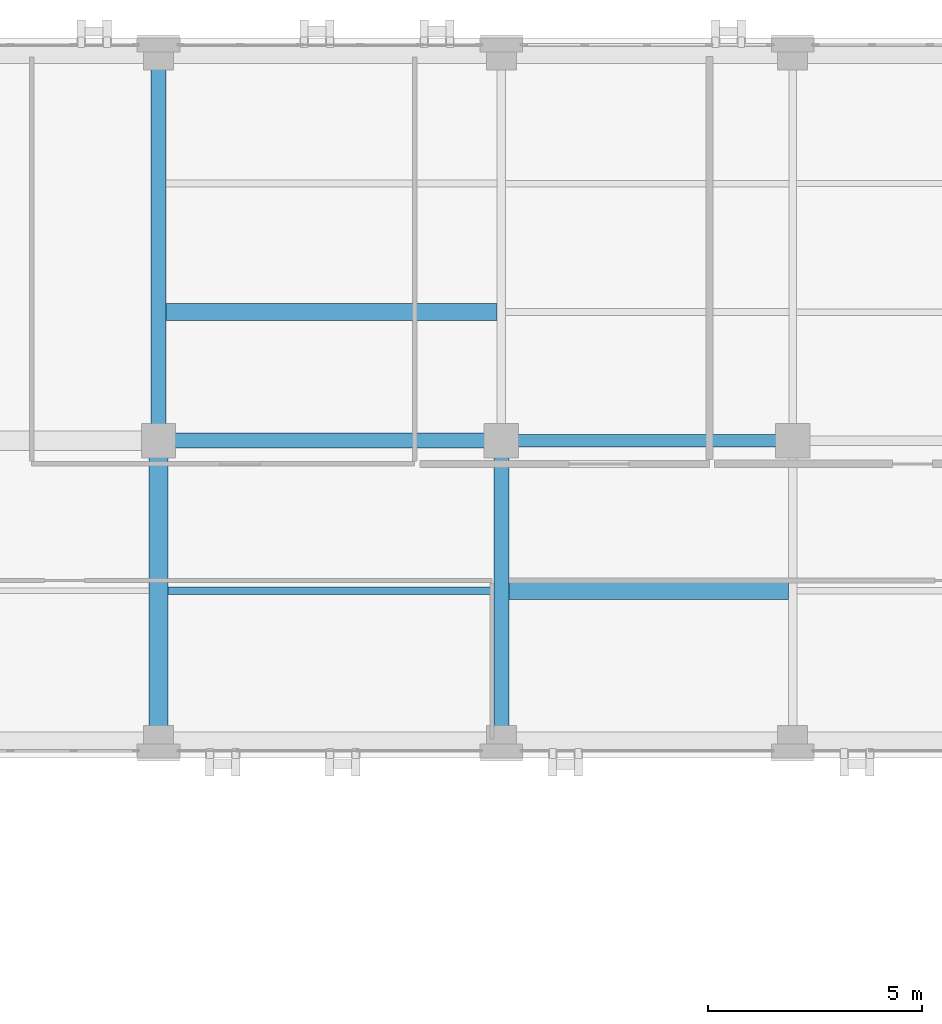
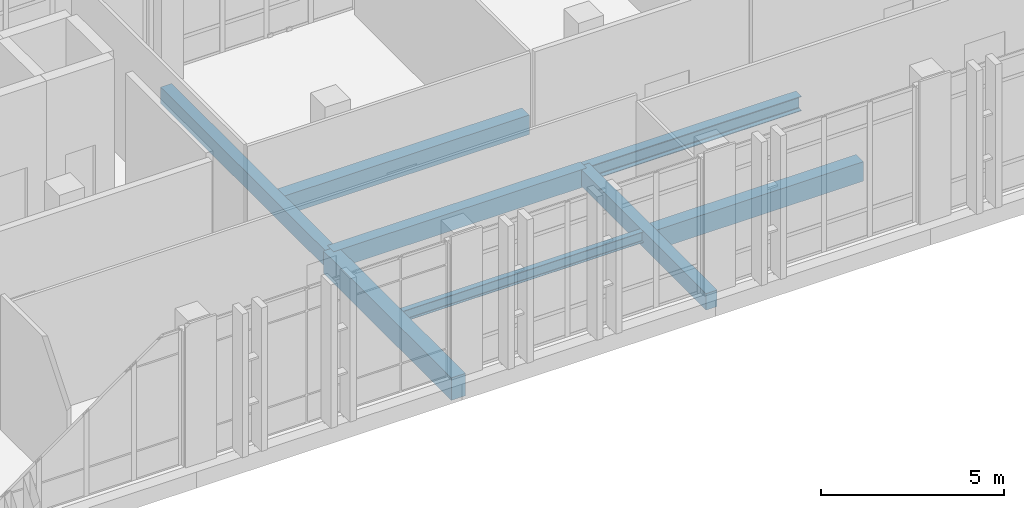
# One storey, part 93 of 189: 8 beams.
"""IFC4 building model written with IfcOpenShell, lengths in metres."""

from ifc_helpers import new_model, si_unit, direction, frame, origin, origin_2d, place, context, subcontext, project, spatial, rectangle, i_section, extrude, material, material_profile, profile_set, type_object, element, save


model = new_model("IFC4")

# Units and contexts
model_context = context("Model", 3, precision=1e-05, world=origin(), true_north=direction((0.0, 1.0)))
body_context = subcontext(model_context, "Body", "Model", "MODEL_VIEW")
ifc_project = project(units=[si_unit("LENGTHUNIT", "METRE"), si_unit("AREAUNIT", "SQUARE_METRE"), si_unit("VOLUMEUNIT", "CUBIC_METRE"), si_unit("PLANEANGLEUNIT", "RADIAN"), si_unit("MASSUNIT", "GRAM", prefix="KILO")], contexts=[model_context])

# Site, building, storey
site_placement = place(None, origin())
site = spatial("IfcSite", under=ifc_project, at=site_placement, CompositionType="ELEMENT")
building_placement = place(site_placement, origin())
building = spatial("IfcBuilding", under=site, at=building_placement, Name="Qalavern Law Courts", CompositionType="ELEMENT")
storey_placement = place(building_placement, frame((0.0, 0.0, 5.39990234375)))
storey = spatial("IfcBuildingStorey", under=building, at=storey_placement, Name="L01", CompositionType="ELEMENT", Elevation=5.39990234375)

# Beams
ifc_material_1 = material(Name="Steel S355", Category="steel")
ifc_material_profile_1 = material_profile(ifc_material_1, i_section(OverallWidth=0.300048828125, OverallDepth=0.489990234375, WebThickness=0.011962890625, FlangeThickness=0.02294921875, FilletRadius=0.027099609375, at=origin_2d()), Name="HEA 500")
ifc_profile_set_1 = profile_set([ifc_material_profile_1], Name="Steel S355")
beam_type_1 = type_object("IfcBeamType", Name="STR-BM-HEA500", PredefinedType="BEAM", material=ifc_profile_set_1)
beam_1_placement = place(storey_placement, frame((44.800048828125, 103.60009765625, -0.544921875), z_axis=(1.0, 0.0, 0.0), x_axis=(0.0, 1.0, 0.0)))
element("IfcBeam", 1, at=beam_1_placement, inside=storey, type_object=beam_type_1, Name="V5 X-beam 2-6 L01", PredefinedType="BEAM", context=body_context, shape_type="SweptSolid", body=[
    extrude(i_section(OverallWidth=0.300048828125, OverallDepth=0.489990234375, WebThickness=0.011962890625, FlangeThickness=0.02294921875, FilletRadius=0.027099609375, at=origin_2d()), origin(), (0.0, 0.0, 1.0), 6.800048828125),
])
ifc_material_2 = material(Name="Concrete C35/45", Category="concrete")
ifc_material_profile_2 = material_profile(ifc_material_2, rectangle(XDim=0.35009765625, YDim=0.550048828125, at=origin_2d()), Name="RC 350x550")
ifc_profile_set_2 = profile_set([ifc_material_profile_2], Name="Concrete C35/45")
beam_type_2 = type_object("IfcBeamType", Name="STR-BM-RC350x550", PredefinedType="BEAM", material=ifc_profile_set_2)
beam_2_placement = place(storey_placement, frame((36.800048828125, 103.60009765625, -0.574951171875), z_axis=(0.0, 1.0, 0.0), x_axis=(-1.0, 0.0, 0.0)))
element("IfcBeam", 2, at=beam_2_placement, inside=storey, type_object=beam_type_2, Name="V5 Y-beam 5-2 L01", PredefinedType="BEAM", context=body_context, shape_type="SweptSolid", body=[
    extrude(rectangle(XDim=0.35009765625, YDim=0.550048828125, at=origin_2d()), origin(), (0.0, 0.0, 1.0), 9.0),
])
beam_3_placement = place(storey_placement, frame((44.800048828125, 96.60009765625, -0.574951171875), z_axis=(0.0, 1.0, 0.0), x_axis=(-1.0, 0.0, 0.0)))
element("IfcBeam", 3, at=beam_3_placement, inside=storey, type_object=beam_type_2, Name="V5 Y-beam 6-1 L01", PredefinedType="BEAM", context=body_context, shape_type="SweptSolid", body=[
    extrude(rectangle(XDim=0.35009765625, YDim=0.550048828125, at=origin_2d()), origin(), (0.0, 0.0, 1.0), 7.0),
])
ifc_material_profile_3 = material_profile(ifc_material_2, rectangle(XDim=0.35009765625, YDim=0.60009765625, at=origin_2d()), Name="RC 350x600")
ifc_profile_set_3 = profile_set([ifc_material_profile_3], Name="Concrete C35/45")
beam_type_3 = type_object("IfcBeamType", Name="STR-BM-RC350x600", PredefinedType="BEAM", material=ifc_profile_set_3)
beam_4_placement = place(storey_placement, frame((36.800048828125, 103.60009765625, -0.599853515625), z_axis=(1.0, 0.0, 0.0), x_axis=(0.0, 1.0, 0.0)))
element("IfcBeam", 4, at=beam_4_placement, inside=storey, type_object=beam_type_3, Name="V5 X-beam 2-5 L01", PredefinedType="BEAM", context=body_context, shape_type="SweptSolid", body=[
    extrude(rectangle(XDim=0.35009765625, YDim=0.60009765625, at=origin_2d()), origin(), (0.0, 0.0, 1.0), 8.0),
])
ifc_material_3 = material(Name="Concrete C40/50", Category="concrete")
ifc_material_profile_4 = material_profile(ifc_material_3, rectangle(XDim=0.449951171875, YDim=0.75, at=origin_2d()), Name="RC 450x750")
ifc_profile_set_4 = profile_set([ifc_material_profile_4], Name="Concrete C40/50")
beam_type_4 = type_object("IfcBeamType", Name="STR-BM-RC450x750", PredefinedType="BEAM", material=ifc_profile_set_4)
beam_5_placement = place(storey_placement, frame((36.800048828125, 96.60009765625, -0.6748046875), z_axis=(0.0, 1.0, 0.0), x_axis=(-1.0, 0.0, 0.0)))
element("IfcBeam", 5, at=beam_5_placement, inside=storey, type_object=beam_type_4, Name="V5 Y-beam 5-1 L01", PredefinedType="BEAM", context=body_context, shape_type="SweptSolid", body=[
    extrude(rectangle(XDim=0.449951171875, YDim=0.75, at=origin_2d()), origin(), (0.0, 0.0, 1.0), 7.0),
])
ifc_material_profile_5 = material_profile(ifc_material_1, i_section(OverallWidth=0.169921875, OverallDepth=0.360107421875, WebThickness=0.008056640625, FlangeThickness=0.0126953125, FilletRadius=0.01806640625, at=origin_2d()), Name="IPE 360")
ifc_profile_set_5 = profile_set([ifc_material_profile_5], Name="Steel S355")
beam_type_5 = type_object("IfcBeamType", Name="STR-JST-IPE360", PredefinedType="JOIST", material=ifc_profile_set_5)
beam_6_placement = place(storey_placement, frame((37.02294921875, 100.10009765625, -0.47998046875), z_axis=(1.0, 0.0, 0.0), x_axis=(0.0, 1.0, 0.0)))
element("IfcBeam", 6, at=beam_6_placement, inside=storey, type_object=beam_type_5, Name="V5 secondary joist 5.1.1 L01", PredefinedType="JOIST", context=body_context, shape_type="SweptSolid", body=[
    extrude(i_section(OverallWidth=0.169921875, OverallDepth=0.360107421875, WebThickness=0.008056640625, FlangeThickness=0.0126953125, FilletRadius=0.01806640625, at=origin_2d()), origin(), (0.0, 0.0, 1.0), 7.60400390625),
])
ifc_material_profile_6 = material_profile(ifc_material_2, rectangle(XDim=0.39990234375, YDim=0.64990234375, at=origin_2d()), Name="RC 400x650")
ifc_profile_set_6 = profile_set([ifc_material_profile_6], Name="Concrete C35/45")
beam_type_6 = type_object("IfcBeamType", Name="STR-JST-RC400x650", PredefinedType="JOIST", material=ifc_profile_set_6)
beam_7_placement = place(storey_placement, frame((36.972900390625, 106.60009765625, -0.625), z_axis=(1.0, 0.0, 0.0), x_axis=(0.0, 1.0, 0.0)))
element("IfcBeam", 7, at=beam_7_placement, inside=storey, type_object=beam_type_6, Name="V5 secondary joist 5.2.1 L01", PredefinedType="JOIST", context=body_context, shape_type="SweptSolid", body=[
    extrude(rectangle(XDim=0.39990234375, YDim=0.64990234375, at=origin_2d()), origin(), (0.0, 0.0, 1.0), 7.72900390625),
])
beam_8_placement = place(storey_placement, frame((44.972900390625, 100.10009765625, -0.625), z_axis=(1.0, 0.0, 0.0), x_axis=(0.0, 1.0, 0.0)))
element("IfcBeam", 8, at=beam_8_placement, inside=storey, type_object=beam_type_6, Name="V5 secondary joist 6.1.1 L01", PredefinedType="JOIST", context=body_context, shape_type="SweptSolid", body=[
    extrude(rectangle(XDim=0.39990234375, YDim=0.64990234375, at=origin_2d()), origin(), (0.0, 0.0, 1.0), 6.529052734375),
])

save(model, "model.ifc")
